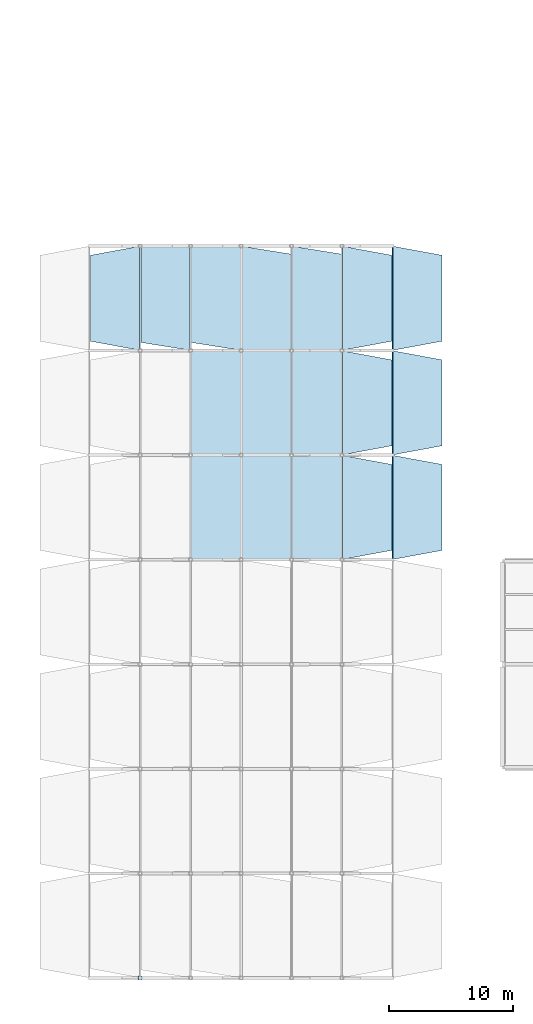
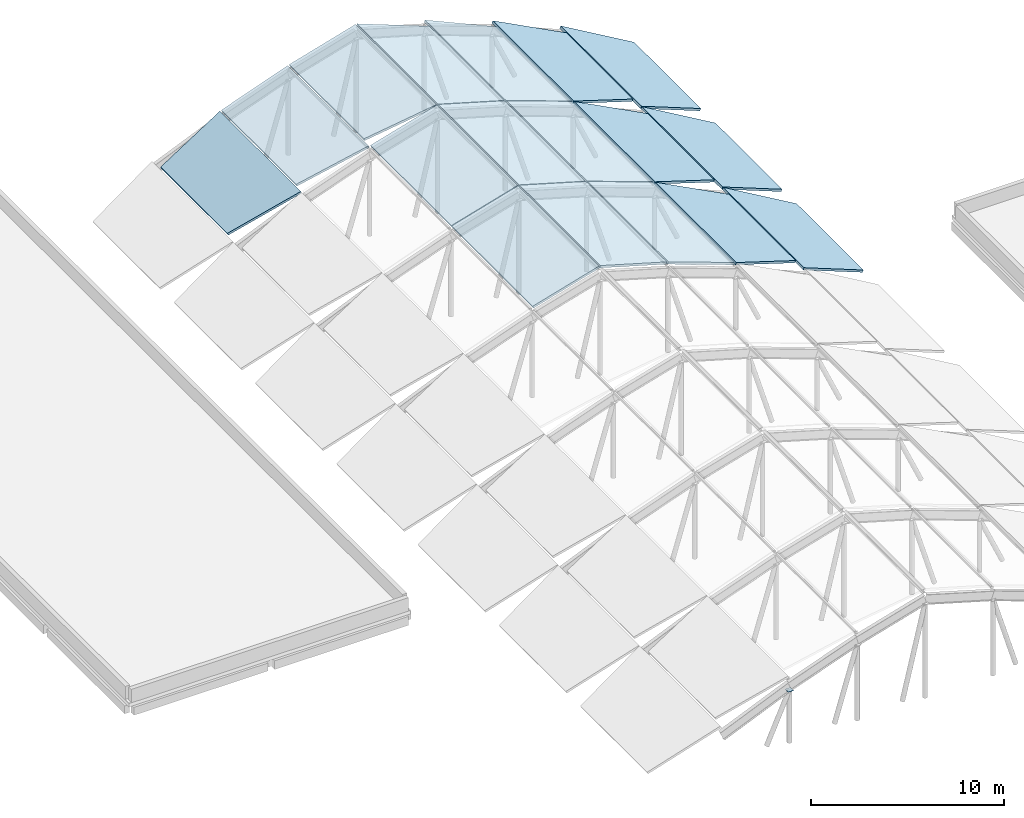
# One storey, part 13 of 22: 17 slabs, 1 plate, 2 elements without a shape of their own.
"""IFC4 building model written with IfcOpenShell, lengths in metres."""

from ifc_helpers import new_model, si_unit, direction, frame, origin, origin_2d, place, context, subcontext, project, spatial, polyline, rectangle, outline, extrude, material, layer, layer_set, type_object, element, aggregate, save


model = new_model("IFC4")

# Units and contexts
model_context = context("Model", 3, precision=1e-05, world=origin(), true_north=direction((0.0, 1.0)))
body_context = subcontext(model_context, "Body", "Model", "MODEL_VIEW")
ifc_project = project(units=[si_unit("LENGTHUNIT", "METRE"), si_unit("AREAUNIT", "SQUARE_METRE"), si_unit("VOLUMEUNIT", "CUBIC_METRE"), si_unit("PLANEANGLEUNIT", "RADIAN"), si_unit("MASSUNIT", "GRAM", prefix="KILO")], contexts=[model_context])

# Site, building, storey
site_placement = place(None, origin())
site = spatial("IfcSite", under=ifc_project, at=site_placement, CompositionType="ELEMENT")
building_placement = place(site_placement, origin())
building = spatial("IfcBuilding", under=site, at=building_placement, Name="Vireocrest Preparatory School", CompositionType="ELEMENT")
storey_placement = place(building_placement, frame((0.0, 0.0, 25.800048828125)))
storey = spatial("IfcBuildingStorey", under=building, at=storey_placement, Name="RF", CompositionType="ELEMENT", Elevation=25.800048828125)

# Roof, slabs
ifc_material_1 = material(Name="Structural steel ASTM A992 Grade 50", Category="steel")
ifc_layer_1 = layer(ifc_material_1, 0.159912109375)
ifc_layer_set_1 = layer_set([ifc_layer_1], Name="Structural steel ASTM A992 Grade 50")
roof_type = type_object("IfcRoofType", Name="Exposed Steel Barrel Vault Roof Assembly", PredefinedType="BARREL_ROOF", material=ifc_layer_set_1)
roof_1_placement = place(storey_placement, origin())
roof_1 = element("IfcRoof", 1, at=roof_1_placement, inside=storey, type_object=roof_type, Name="Central Court Arched Glass Canopy Roof (Centre Bays)", PredefinedType="BARREL_ROOF")
ifc_material_2 = material(Name="Tempered solar-control skylight glass", Category="glass")
ifc_layer_2 = layer(ifc_material_2, 0.139892578125)
ifc_layer_set_2 = layer_set([ifc_layer_2], Name="Tempered solar-control skylight glass")
slab_type = type_object("IfcSlabType", Name="Central Court Tempered Safety Glass Canopy Roof Panel 140", PredefinedType="ROOF", material=ifc_layer_set_2)
slab_1_placement = place(storey_placement, frame((75.794921875, 60.6201171875, 3.03466796875), z_axis=(-0.279681768916, 0.0, 0.960092760173), x_axis=(0.960092760173, 0.0, 0.279681768916)))
slab_1 = element("IfcSlab", 2, at=slab_1_placement, type_object=slab_type, Name="Canopy Tempered Safety Glass Roof Panel 5-4", PredefinedType="ROOF", context=body_context, shape_type="SweptSolid", body=[
    extrude(outline(polyline([(0.0, 0.0), (4.124560773469033, 0.0), (4.124560773469033, 8.35986328125), (0.0, 8.35986328125), (0.0, 0.0)])), origin(), (0.0, 0.0, -1.0), 0.139892578125),
])
slab_2_placement = place(storey_placement, frame((79.844970703125, 60.6201171875, 4.188232421875), z_axis=(0.279681768916, 0.0, 0.960092760173), x_axis=(0.960092760173, 0.0, -0.279681768916)))
slab_2 = element("IfcSlab", 3, at=slab_2_placement, type_object=slab_type, Name="Canopy Tempered Safety Glass Roof Panel 5-5", PredefinedType="ROOF", context=body_context, shape_type="SweptSolid", body=[
    extrude(outline(polyline([(0.0, 0.0), (4.124560773469033, 0.0), (4.124560773469033, 8.35986328125), (0.0, 8.35986328125), (0.0, 0.0)])), origin(), (0.0, 0.0, -1.0), 0.139892578125),
])
slab_3_placement = place(storey_placement, frame((83.89501953125, 60.6201171875, 3.00537109375), z_axis=(0.339171253598, 0.0, 0.940724646607), x_axis=(0.940724646607, 0.0, -0.339171253598)))
slab_3 = element("IfcSlab", 4, at=slab_3_placement, type_object=slab_type, Name="Canopy Tempered Safety Glass Roof Panel 5-6", PredefinedType="ROOF", context=body_context, shape_type="SweptSolid", body=[
    extrude(outline(polyline([(0.0, 0.0), (4.209479311278596, 0.0), (4.209479311278596, 8.35986328125), (0.0, 8.35986328125), (0.0, 0.0)])), origin(), (0.0, 0.0, -1.0), 0.139892578125),
])
slab_4_placement = place(storey_placement, frame((87.945068359375, 60.6201171875, 1.542236328125), z_axis=(0.394760021154, 0.0, 0.918784265047), x_axis=(0.905883115876, 0.166990783999, -0.389216981168)))
slab_4 = element("IfcSlab", 5, at=slab_4_placement, type_object=slab_type, Name="Canopy Tempered Safety Glass Roof Panel 5-7", PredefinedType="ROOF", context=body_context, shape_type="SweptSolid", body=[
    extrude(outline(polyline([(0.0, 0.0), (4.371381768904153, 8.326672684688674e-17), (5.5236018708062815, 6.803017065248287), (1.3960201234637561, 8.242477897821521), (0.0, 0.0)])), origin(), (0.0, 0.0, -1.0), 0.139892578125),
])
slab_5_placement = place(storey_placement, frame((91.9951171875, 60.6201171875, -0.200927734375), z_axis=(0.446330647128, 0.0, 0.894868120694), x_axis=(0.882935578474, 0.162760627598, -0.440379089387)))
slab_5 = element("IfcSlab", 6, at=slab_5_placement, type_object=slab_type, Name="Canopy Tempered Safety Glass Roof Panel 5-8", PredefinedType="ROOF", context=body_context, shape_type="SweptSolid", body=[
    extrude(outline(polyline([(0.0, 0.0), (4.484994187622386, 5.551115123125783e-17), (5.608026623454815, 6.807896187615895), (1.3606565942882312, 8.248389401186875), (0.0, 0.0)])), origin(), (0.0, 0.0, -1.0), 0.139892578125),
])
aggregate(roof_1, [slab_1, slab_2, slab_3, slab_4, slab_5])

roof_2_placement = place(storey_placement, origin())
roof_2 = element("IfcRoof", 7, at=roof_2_placement, inside=storey, type_object=roof_type, Name="Central Court Arched Glass Canopy Roof (North Bays)", PredefinedType="BARREL_ROOF")
slab_6_placement = place(storey_placement, frame((75.794921875, 69.02001953125, 3.03466796875), z_axis=(-0.279681768916, 0.0, 0.960092760173), x_axis=(0.960092760173, 0.0, 0.279681768916)))
slab_6 = element("IfcSlab", 8, at=slab_6_placement, type_object=slab_type, Name="Canopy Tempered Safety Glass Roof Panel 6-4", PredefinedType="ROOF", context=body_context, shape_type="SweptSolid", body=[
    extrude(outline(polyline([(0.0, 0.0), (4.124560773469033, 0.0), (4.124560773469033, 8.35986328125), (0.0, 8.35986328125), (0.0, 0.0)])), origin(), (0.0, 0.0, -1.0), 0.139892578125),
])
slab_7_placement = place(storey_placement, frame((79.844970703125, 69.02001953125, 4.188232421875), z_axis=(0.279681768916, 0.0, 0.960092760173), x_axis=(0.960092760173, 0.0, -0.279681768916)))
slab_7 = element("IfcSlab", 9, at=slab_7_placement, type_object=slab_type, Name="Canopy Tempered Safety Glass Roof Panel 6-5", PredefinedType="ROOF", context=body_context, shape_type="SweptSolid", body=[
    extrude(outline(polyline([(0.0, 0.0), (4.124560773469033, 0.0), (4.124560773469033, 8.35986328125), (0.0, 8.35986328125), (0.0, 0.0)])), origin(), (0.0, 0.0, -1.0), 0.139892578125),
])
slab_8_placement = place(storey_placement, frame((83.89501953125, 69.02001953125, 3.00537109375), z_axis=(0.339171253598, 0.0, 0.940724646607), x_axis=(0.940724646607, 0.0, -0.339171253598)))
slab_8 = element("IfcSlab", 10, at=slab_8_placement, type_object=slab_type, Name="Canopy Tempered Safety Glass Roof Panel 6-6", PredefinedType="ROOF", context=body_context, shape_type="SweptSolid", body=[
    extrude(outline(polyline([(0.0, 0.0), (4.209479311278596, 0.0), (4.209479311278596, 8.35986328125), (0.0, 8.35986328125), (0.0, 0.0)])), origin(), (0.0, 0.0, -1.0), 0.139892578125),
])
slab_9_placement = place(storey_placement, frame((87.945068359375, 69.02001953125, 1.542236328125), z_axis=(0.394760021154, 0.0, 0.918784265047), x_axis=(0.905883115876, 0.166990783999, -0.389216981168)))
slab_9 = element("IfcSlab", 11, at=slab_9_placement, type_object=slab_type, Name="Canopy Tempered Safety Glass Roof Panel 6-7", PredefinedType="ROOF", context=body_context, shape_type="SweptSolid", body=[
    extrude(outline(polyline([(0.0, 0.0), (4.371381768904153, 8.326672684688674e-17), (5.5236018708062815, 6.803017065248287), (1.3960201234637561, 8.242477897821521), (0.0, 0.0)])), origin(), (0.0, 0.0, -1.0), 0.139892578125),
])
slab_10_placement = place(storey_placement, frame((91.9951171875, 69.02001953125, -0.200927734375), z_axis=(0.446330647128, 0.0, 0.894868120694), x_axis=(0.882935578474, 0.162760627598, -0.440379089387)))
slab_10 = element("IfcSlab", 12, at=slab_10_placement, type_object=slab_type, Name="Canopy Tempered Safety Glass Roof Panel 6-8", PredefinedType="ROOF", context=body_context, shape_type="SweptSolid", body=[
    extrude(outline(polyline([(0.0, 0.0), (4.484994187622386, 5.551115123125783e-17), (5.608026623454815, 6.807896187615895), (1.3606565942882312, 8.248389401186875), (0.0, 0.0)])), origin(), (0.0, 0.0, -1.0), 0.139892578125),
])
slab_11_placement = place(storey_placement, frame((67.695068359375, 78.14990234375, -0.1591796875), z_axis=(-0.394760021154, 0.0, 0.918784265047), x_axis=(0.905883115876, -0.166990783999, 0.389216981168)))
slab_11 = element("IfcSlab", 13, at=slab_11_placement, type_object=slab_type, Name="Canopy Tempered Safety Glass Roof Panel 7-2", PredefinedType="ROOF", context=body_context, shape_type="SweptSolid", body=[
    extrude(outline(polyline([(0.0, 0.0), (4.371381768904153, 0.0), (2.975320876206022, 8.242718610335329), (-1.1522608711365032, 6.803257777762094), (0.0, 0.0)])), origin(), (0.0, 0.0, -1.0), 0.139892578125),
])
slab_12_placement = place(storey_placement, frame((71.7451171875, 78.050048828125, 1.57763671875), z_axis=(-0.339171253598, 0.0, 0.940724646607), x_axis=(0.930358744608, -0.148042905045, 0.335433904961)))
slab_12 = element("IfcSlab", 14, at=slab_12_placement, type_object=slab_type, Name="Canopy Tempered Safety Glass Roof Panel 7-3", PredefinedType="ROOF", context=body_context, shape_type="SweptSolid", body=[
    extrude(outline(polyline([(0.0, 0.0), (4.256380627850042, 1.3877787807814457e-17), (3.0187260386257937, 8.267986890595656), (-1.1443687645363478, 7.644803344626337), (0.0, 0.0)])), origin(), (0.0, 0.0, -1.0), 0.139892578125),
])
slab_13_placement = place(storey_placement, frame((75.794921875, 78.050048828125, 3.03466796875), z_axis=(-0.279681768916, 0.0, 0.960092760173), x_axis=(0.949080873992, -0.151022055226, 0.276473929076)))
slab_13 = element("IfcSlab", 15, at=slab_13_placement, type_object=slab_type, Name="Canopy Tempered Safety Glass Roof Panel 7-4", PredefinedType="ROOF", context=body_context, shape_type="SweptSolid", body=[
    extrude(outline(polyline([(0.0, 0.0), (4.172416751847071, -6.245004513516506e-17), (2.909856147082037, 8.264220279287384), (-1.1673975372505472, 7.641320634371905), (0.0, 0.0)])), origin(), (0.0, 0.0, -1.0), 0.139892578125),
])
slab_14_placement = place(storey_placement, frame((79.844970703125, 77.419921875, 4.188232421875), z_axis=(0.279681768916, 0.0, 0.960092760173), x_axis=(0.960092760173, 0.0, -0.279681768916)))
slab_14 = element("IfcSlab", 16, at=slab_14_placement, type_object=slab_type, Name="Canopy Tempered Safety Glass Roof Panel 7-5", PredefinedType="ROOF", context=body_context, shape_type="SweptSolid", body=[
    extrude(outline(polyline([(0.0, 0.0), (4.124560773469033, 0.0), (4.124560773469033, 7.72998046875), (0.0, 8.360107421875), (0.0, 0.0)])), origin(), (0.0, 0.0, -1.0), 0.139892578125),
])
slab_15_placement = place(storey_placement, frame((83.89501953125, 77.419921875, 3.00537109375), z_axis=(0.339171253598, 0.0, 0.940724646607), x_axis=(0.940724646607, 0.0, -0.339171253598)))
slab_15 = element("IfcSlab", 17, at=slab_15_placement, type_object=slab_type, Name="Canopy Tempered Safety Glass Roof Panel 7-6", PredefinedType="ROOF", context=body_context, shape_type="SweptSolid", body=[
    extrude(outline(polyline([(0.0, 0.0), (4.209479311278596, 0.0), (4.209479311278596, 7.72998046875), (0.0, 8.360107421875), (0.0, 0.0)])), origin(), (0.0, 0.0, -1.0), 0.139892578125),
])
slab_16_placement = place(storey_placement, frame((87.945068359375, 77.419921875, 1.542236328125), z_axis=(0.394760021154, 0.0, 0.918784265047), x_axis=(0.905883115876, 0.166990783999, -0.389216981168)))
slab_16 = element("IfcSlab", 18, at=slab_16_placement, type_object=slab_type, Name="Canopy Tempered Safety Glass Roof Panel 7-7", PredefinedType="ROOF", context=body_context, shape_type="SweptSolid", body=[
    extrude(outline(polyline([(0.0, 0.0), (4.371381768904153, 0.0), (5.523642640040657, 6.803257777762094), (1.396060892698131, 8.242718610335329), (0.0, 0.0)])), origin(), (0.0, 0.0, -1.0), 0.139892578125),
])
slab_17_placement = place(storey_placement, frame((91.9951171875, 77.419921875, -0.200927734375), z_axis=(0.446330647128, 0.0, 0.894868120694), x_axis=(0.882935578474, 0.162760627598, -0.440379089387)))
slab_17 = element("IfcSlab", 19, at=slab_17_placement, type_object=slab_type, Name="Canopy Tempered Safety Glass Roof Panel 7-8", PredefinedType="ROOF", context=body_context, shape_type="SweptSolid", body=[
    extrude(outline(polyline([(0.0, 0.0), (4.484994187622386, 5.551115123125783e-17), (5.608066359936162, 6.808137072768665), (1.3606963307695783, 8.248630286339646), (0.0, 0.0)])), origin(), (0.0, 0.0, -1.0), 0.139892578125),
])
aggregate(roof_2, [slab_6, slab_7, slab_8, slab_9, slab_10, slab_11, slab_12, slab_13, slab_14, slab_15, slab_16, slab_17])

# Plate
ifc_material_3 = material(Name="Structural steel ASTM A572 Grade 50", Category="steel")
ifc_layer_3 = layer(ifc_material_3, 0.02001953125)
ifc_layer_set_3 = layer_set([ifc_layer_3], Name="Structural steel ASTM A572 Grade 50")
plate_type = type_object("IfcPlateType", Name="Hollow Section Steel End Cap Plate 20", PredefinedType="SHEET", material=ifc_layer_set_3)
plate_placement = place(storey_placement, frame((71.699951171875, 27.0, 0.64794921875), z_axis=(0.0, 0.0, 1.0), x_axis=(1.0, 0.0, 0.0)))
element("IfcPlate", 20, at=plate_placement, inside=storey, type_object=plate_type, Name="Canopy Web Cap CP1-1-2T", PredefinedType="SHEET", context=body_context, shape_type="SweptSolid", body=[
    extrude(rectangle(XDim=0.320068359375, YDim=0.320068359375, at=origin_2d()), origin(), (0.0, 0.0, 1.0), 0.02001953125),
])

save(model, "model.ifc")
